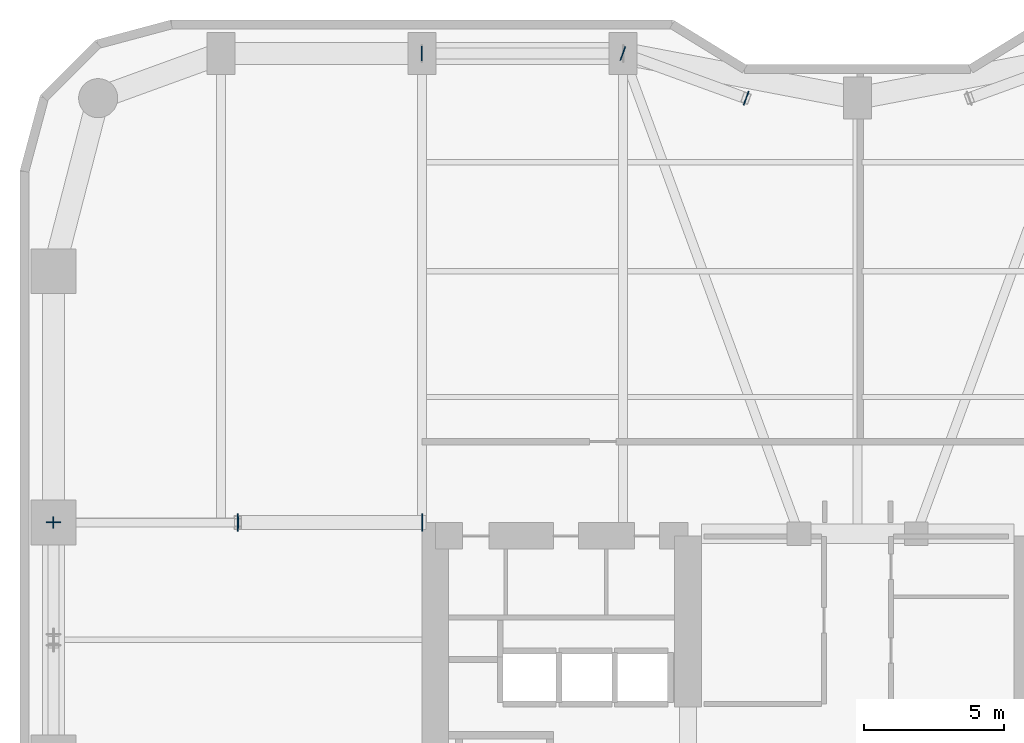
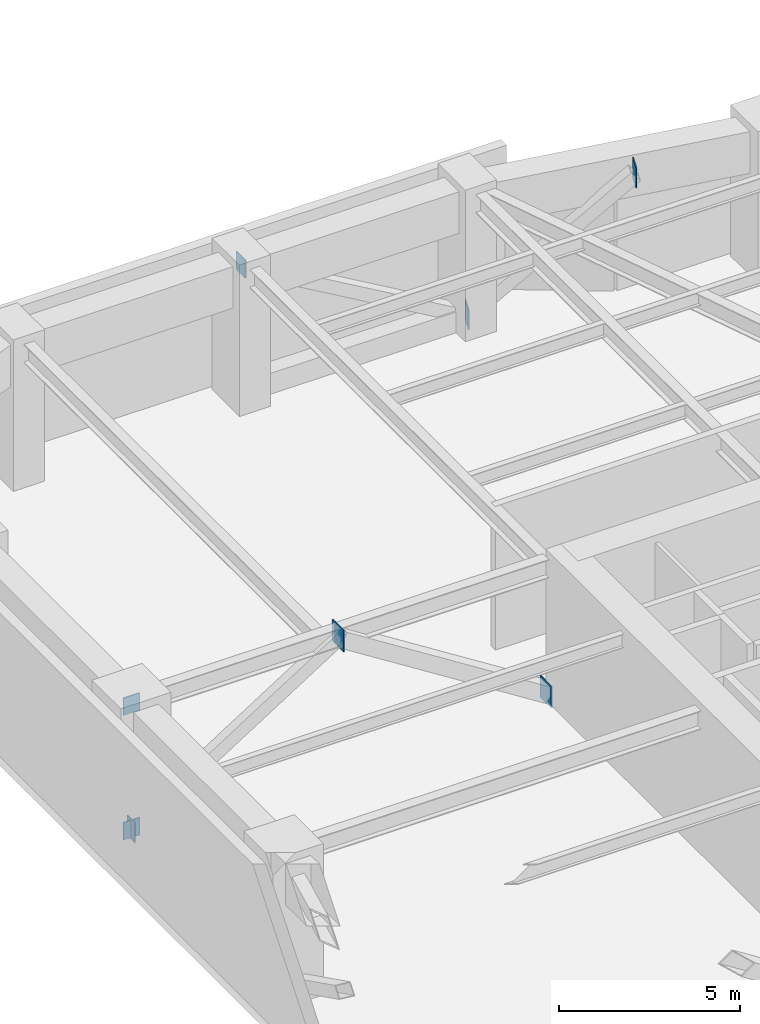
# One storey, part 10 of 16: 9 plates.
"""IFC4 building model written with IfcOpenShell, lengths in metres."""

from ifc_helpers import new_model, si_unit, direction, frame, origin, origin_2d, place, context, subcontext, project, spatial, rectangle, extrude, material, layer, layer_set, type_object, element, save


model = new_model("IFC4")

# Units and contexts
model_context = context("Model", 3, precision=1e-05, world=origin(), true_north=direction((0.0, 1.0)))
body_context = subcontext(model_context, "Body", "Model", "MODEL_VIEW")
ifc_project = project(units=[si_unit("LENGTHUNIT", "METRE"), si_unit("AREAUNIT", "SQUARE_METRE"), si_unit("VOLUMEUNIT", "CUBIC_METRE"), si_unit("PLANEANGLEUNIT", "RADIAN"), si_unit("MASSUNIT", "GRAM", prefix="KILO")], contexts=[model_context])

# Site, building, storey
site_placement = place(None, origin())
site = spatial("IfcSite", under=ifc_project, at=site_placement, CompositionType="ELEMENT")
building_placement = place(site_placement, origin())
building = spatial("IfcBuilding", under=site, at=building_placement, Name="Kiyonajd Concourse Tower", CompositionType="ELEMENT")
storey_placement = place(building_placement, frame((0.0, 0.0, 80.699951171875)))
storey = spatial("IfcBuildingStorey", under=building, at=storey_placement, Name="L21", CompositionType="ELEMENT", Elevation=80.699951171875)

# Plates
ifc_material = material(Name="Steel ASTM A572 Grade 50", Category="steel")
ifc_layer = layer(ifc_material, 0.031982421875)
ifc_layer_set = layer_set([ifc_layer], Name="Steel ASTM A572 Grade 50")
plate_type = type_object("IfcPlateType", Name="PL-CAP-540", PredefinedType="USERDEFINED", material=ifc_layer_set)
for number, where, z_axis, x_axis, name in (
    (1, (32.4091796875, 44.39990234375, -0.07177734375), (0.0, 0.0, 1.0), (1.0, 0.0, 0.0), "L21 Outrigger End Cap Plate 03"),
    (2, (25.790771484375, 44.39990234375, 4.1298828125), (0.0, 0.0, 1.0), (-1.0, 0.0, 0.0), "L21 Outrigger Far End Cap Plate 03"),
):
    element("IfcPlate", number, at=place(storey_placement, frame(where, z_axis=z_axis, x_axis=x_axis)), inside=storey, type_object=plate_type, Name=name, ObjectType="CAP PLATE", PredefinedType="USERDEFINED", context=body_context, shape_type="SweptSolid", body=[
        extrude(rectangle(XDim=0.035888671875, YDim=0.6201171875, at=origin_2d()), origin(), (0.0, 0.0, 1.0), 0.73193359375),
    ])
for number, where, z_axis, x_axis, name in (
    (3, (25.809326171875, 44.39990234375, 4.1591796875), (0.0, 0.0, 1.0), (1.0, 0.0, 0.0), "L21 Outrigger End Cap Plate 04"),
    (4, (19.190673828125, 44.39990234375, -0.04248046875), (0.0, 0.0, 1.0), (-1.0, 0.0, 0.0), "L21 Outrigger Far End Cap Plate 04"),
):
    element("IfcPlate", number, at=place(storey_placement, frame(where, z_axis=z_axis, x_axis=x_axis)), inside=storey, type_object=plate_type, Name=name, ObjectType="CAP PLATE", PredefinedType="USERDEFINED", context=body_context, shape_type="SweptSolid", body=[
        extrude(rectangle(XDim=0.035888671875, YDim=0.419921875, at=origin_2d()), origin(), (0.0, 0.0, 1.0), 0.673095703125),
    ])
plate_placement = place(storey_placement, frame((32.390380859375, 61.199951171875, 4.194091796875), z_axis=(0.0, 0.0, 1.0), x_axis=(-1.0, 0.0, 0.0)))
element("IfcPlate", 5, at=plate_placement, inside=storey, type_object=plate_type, Name="L21 Outrigger End Cap Plate 13", ObjectType="CAP PLATE", PredefinedType="USERDEFINED", context=body_context, shape_type="SweptSolid", body=[
    extrude(rectangle(XDim=0.035888671875, YDim=0.52001953125, at=origin_2d()), origin(), (0.0, 0.0, 1.0), 0.60302734375),
])
for number, where, z_axis, x_axis, name in (
    (6, (39.59228515625, 61.202880859375, -0.0458984375), (0.0, 0.0, 1.0), (-0.939811951086, 0.341692107891, 0.0), "L21 Outrigger End Cap Plate 14"),
    (7, (44.0078125, 59.59716796875, 4.15869140625), (0.0, 0.0, 1.0), (0.939811951086, -0.341692107891, 0.0), "L21 Outrigger Far End Cap Plate 14"),
):
    element("IfcPlate", number, at=place(storey_placement, frame(where, z_axis=z_axis, x_axis=x_axis)), inside=storey, type_object=plate_type, Name=name, ObjectType="CAP PLATE", PredefinedType="USERDEFINED", context=body_context, shape_type="SweptSolid", body=[
        extrude(rectangle(XDim=0.035888671875, YDim=0.52001953125, at=origin_2d()), origin(), (0.0, 0.0, 1.0), 0.677001953125),
    ])
for number, where, z_axis, x_axis, name in (
    (8, (19.199951171875, 44.409912109375, 0.001708984375), (0.0, 0.0, 1.0), (0.0, 1.0, 0.0), "L21 X Brace Far End Cap W2"),
    (9, (19.199951171875, 44.409912109375, 4.201416015625), (0.0, 0.0, 1.0), (0.0, 1.0, 0.0), "L21 Split X Brace Outer Cap W2"),
):
    element("IfcPlate", number, at=place(storey_placement, frame(where, z_axis=z_axis, x_axis=x_axis)), inside=storey, type_object=plate_type, Name=name, ObjectType="CAP PLATE", PredefinedType="USERDEFINED", context=body_context, shape_type="SweptSolid", body=[
        extrude(rectangle(XDim=0.035888671875, YDim=0.52001953125, at=origin_2d()), origin(), (0.0, 0.0, 1.0), 0.5869140625),
    ])

save(model, "model.ifc")
